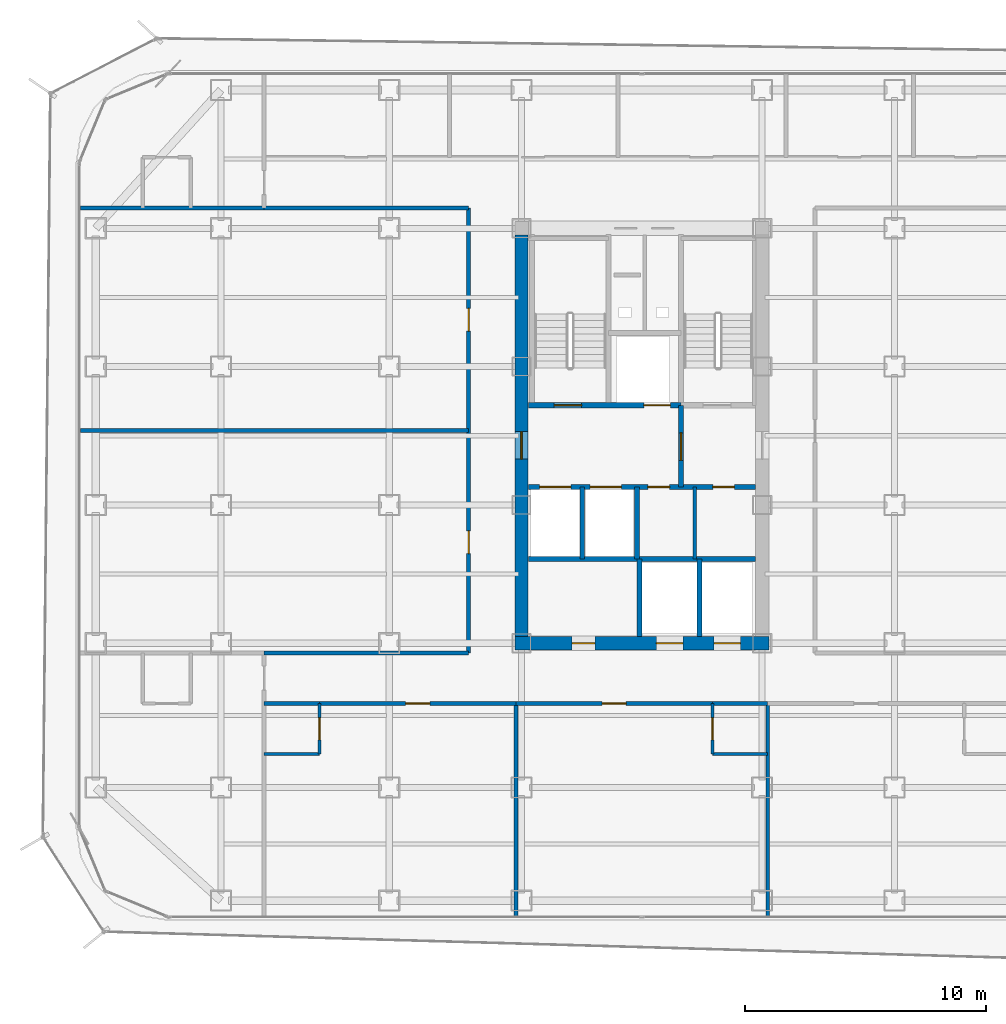
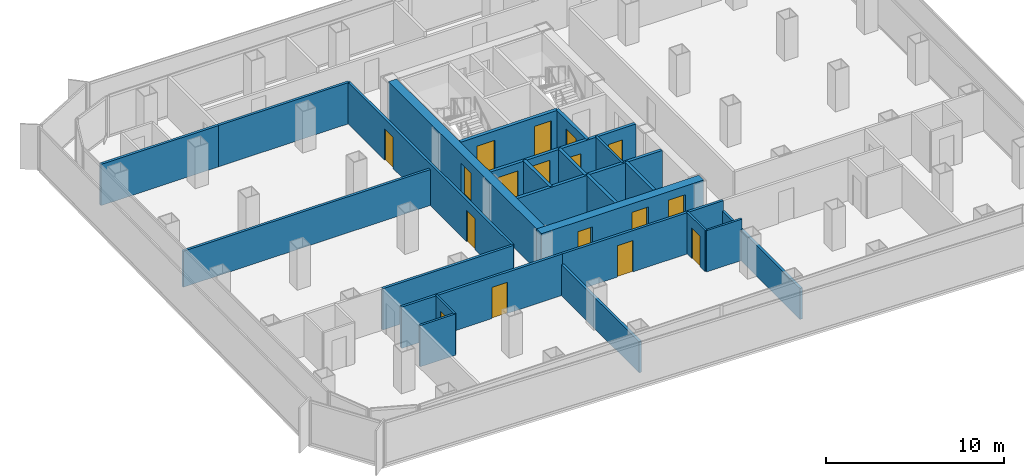
# One storey, part 16 of 21: 26 walls, 17 doors, 17 openings.
"""IFC4 building model written with IfcOpenShell, lengths in metres."""

from ifc_helpers import new_model, si_unit, direction, frame, frame_2d, origin, place, context, subcontext, project, spatial, rectangle, extrude, material, layer, layer_set, type_object, element, fill, save


model = new_model("IFC4")

# Units and contexts
model_context = context("Model", 3, precision=1e-05, world=origin(), true_north=direction((0.0, 1.0)))
body_context = subcontext(model_context, "Body", "Model", "MODEL_VIEW")
ifc_project = project(units=[si_unit("LENGTHUNIT", "METRE"), si_unit("AREAUNIT", "SQUARE_METRE"), si_unit("VOLUMEUNIT", "CUBIC_METRE"), si_unit("PLANEANGLEUNIT", "RADIAN"), si_unit("MASSUNIT", "GRAM", prefix="KILO")], contexts=[model_context])

# Site, building, storey
site_placement = place(None, origin())
site = spatial("IfcSite", under=ifc_project, at=site_placement, CompositionType="ELEMENT")
building_placement = place(site_placement, origin())
building = spatial("IfcBuilding", under=site, at=building_placement, Name="Kolveth Station Tower", CompositionType="ELEMENT")
storey_placement = place(building_placement, frame((0.0, 0.0, 148.39990234375)))
storey = spatial("IfcBuildingStorey", under=building, at=storey_placement, Name="L41", CompositionType="ELEMENT", Elevation=148.39990234375)

# Wall, openings, doors
ifc_material_1 = material(Name="Concrete C60/75", Category="concrete")
ifc_layer_1 = layer(ifc_material_1, 0.550048828125)
ifc_layer_set_1 = layer_set([ifc_layer_1], Name="Concrete C60/75")
wall_type_1 = type_object("IfcWallType", Name="Wall_CW-550", PredefinedType="SHEAR", material=ifc_layer_set_1)
wall_1_placement = place(storey_placement, frame((18.22509765625, 11.5, 0.0), z_axis=(0.0, 0.0, 1.0), x_axis=(1.0, 0.0, 0.0)))
wall_1 = element("IfcWall", 1, at=wall_1_placement, inside=storey, type_object=wall_type_1, Name="L41 Core RC Shear Wall S", PredefinedType="SHEAR", context=body_context, shape_type="SweptSolid", body=[
    extrude(rectangle(XDim=10.5498046875, YDim=0.550048828125, at=frame_2d((5.27490234375, 0.0))), origin(), (0.0, 0.0, 1.0), 2.840087890625),
])
opening_1_placement = place(wall_1_placement, frame((2.375, 0.0, 0.0)))
opening_1 = element("IfcOpeningElement", 2, at=opening_1_placement, cuts=wall_1, Name="Opening ID1", PredefinedType="OPENING", context=body_context, shape_type="SweptSolid", body=[
    extrude(rectangle(XDim=0.949951171875, YDim=2.14990234375, at=frame_2d((0.47509765625, 1.074951171875))), frame((0.0, 0.284912109375, 0.0), z_axis=(0.0, -1.0, 0.0), x_axis=(1.0, 0.0, 0.0)), (0.0, 0.0, 1.0), 0.570068359375),
])
opening_2_placement = place(wall_1_placement, frame((5.875, 0.0, 0.0)))
opening_2 = element("IfcOpeningElement", 3, at=opening_2_placement, cuts=wall_1, Name="Opening LD1", PredefinedType="OPENING", context=body_context, shape_type="SweptSolid", body=[
    extrude(rectangle(XDim=1.10009765625, YDim=2.25, at=frame_2d((0.550048828125, 1.125))), frame((0.0, 0.284912109375, 0.0), z_axis=(0.0, -1.0, 0.0), x_axis=(1.0, 0.0, 0.0)), (0.0, 0.0, 1.0), 0.570068359375),
])
opening_3_placement = place(wall_1_placement, frame((8.27490234375, 0.0, 0.0)))
opening_3 = element("IfcOpeningElement", 4, at=opening_3_placement, cuts=wall_1, Name="Opening LD1", PredefinedType="OPENING", context=body_context, shape_type="SweptSolid", body=[
    extrude(rectangle(XDim=1.10009765625, YDim=2.25, at=frame_2d((0.550048828125, 1.125))), frame((0.0, 0.284912109375, 0.0), z_axis=(0.0, -1.0, 0.0), x_axis=(1.0, 0.0, 0.0)), (0.0, 0.0, 1.0), 0.570068359375),
])
ifc_material_2 = material(Name="Acoustic hardwood leaf and aluminium frame", Category="wood")
door_type_1 = type_object("IfcDoorType", Name="Door_ID1", OperationType="NOTDEFINED", PredefinedType="DOOR", material=ifc_material_2)
door_1_placement = place(opening_1_placement, frame((0.949951171875, 0.0, 0.0), z_axis=(0.0, 0.0, 1.0), x_axis=(-1.0, 0.0, 0.0)))
door_1 = element("IfcDoor", 5, at=door_1_placement, inside=storey, type_object=door_type_1, Name="L41 Hotel Pantry Door", OperationType="SINGLE_SWING_LEFT", OverallHeight=2.14990234375, OverallWidth=0.949951171875, PredefinedType="DOOR", context=body_context, shape_type="SweptSolid", body=[
    extrude(rectangle(XDim=0.949951171875, YDim=2.14990234375, at=frame_2d((0.47509765625, 1.074951171875))), frame((0.0, 0.02490234375, 0.0), z_axis=(0.0, -1.0, 0.0), x_axis=(1.0, 0.0, 0.0)), (0.0, 0.0, 1.0), 0.050048828125),
])
fill(opening_1, door_1)
ifc_material_3 = material(Name="Brushed stainless steel sliding landing doors", Category="steel")
door_type_2 = type_object("IfcDoorType", Name="Door_LD1", OperationType="NOTDEFINED", PredefinedType="DOOR", material=ifc_material_3)
door_2_placement = place(opening_2_placement, frame((1.10009765625, 0.0, 0.0), z_axis=(0.0, 0.0, 1.0), x_axis=(-1.0, 0.0, 0.0)))
door_2 = element("IfcDoor", 6, at=door_2_placement, inside=storey, type_object=door_type_2, Name="L41 Lift PM1 Landing Door", OperationType="DOUBLE_DOOR_SLIDING", OverallHeight=2.25, OverallWidth=1.10009765625, PredefinedType="DOOR", context=body_context, shape_type="SweptSolid", body=[
    extrude(rectangle(XDim=1.10009765625, YDim=2.25, at=frame_2d((0.550048828125, 1.125))), frame((0.0, 0.02490234375, 0.0), z_axis=(0.0, -1.0, 0.0), x_axis=(1.0, 0.0, 0.0)), (0.0, 0.0, 1.0), 0.050048828125),
])
fill(opening_2, door_2)
door_3_placement = place(opening_3_placement, frame((1.10009765625, 0.0, 0.0), z_axis=(0.0, 0.0, 1.0), x_axis=(-1.0, 0.0, 0.0)))
door_3 = element("IfcDoor", 7, at=door_3_placement, inside=storey, type_object=door_type_2, Name="L41 Lift PH1 Landing Door", OperationType="DOUBLE_DOOR_SLIDING", OverallHeight=2.25, OverallWidth=1.10009765625, PredefinedType="DOOR", context=body_context, shape_type="SweptSolid", body=[
    extrude(rectangle(XDim=1.10009765625, YDim=2.25, at=frame_2d((0.550048828125, 1.125))), frame((0.0, 0.02490234375, 0.0), z_axis=(0.0, -1.0, 0.0), x_axis=(1.0, 0.0, 0.0)), (0.0, 0.0, 1.0), 0.050048828125),
])
fill(opening_3, door_3)

# Wall, opening, door
wall_2_placement = place(storey_placement, frame((18.5, 11.77490234375, 0.0), z_axis=(0.0, 0.0, 1.0), x_axis=(0.0, 1.0, 0.0)))
wall_2 = element("IfcWall", 8, at=wall_2_placement, inside=storey, type_object=wall_type_1, Name="L41 Core RC Shear Wall W", PredefinedType="SHEAR", context=body_context, shape_type="SweptSolid", body=[
    extrude(rectangle(XDim=16.7001953125, YDim=0.550048828125, at=frame_2d((8.35009765625, 0.0))), origin(), (0.0, 0.0, 1.0), 2.840087890625),
])
opening_4_placement = place(wall_2_placement, frame((7.375, 0.0, 0.0)))
opening_4 = element("IfcOpeningElement", 9, at=opening_4_placement, cuts=wall_2, Name="Opening FD1", PredefinedType="OPENING", context=body_context, shape_type="SweptSolid", body=[
    extrude(rectangle(XDim=1.14990234375, YDim=2.199951171875, at=frame_2d((0.574951171875, 1.10009765625))), frame((0.0, 0.284912109375, 0.0), z_axis=(0.0, -1.0, 0.0), x_axis=(1.0, 0.0, 0.0)), (0.0, 0.0, 1.0), 0.570068359375),
])
ifc_material_4 = material(Name="Fire-rated Steel S355 leaf and frame", Category="steel")
door_type_3 = type_object("IfcDoorType", Name="Door_FD1", OperationType="NOTDEFINED", PredefinedType="DOOR", material=ifc_material_4)
door_4_placement = place(opening_4_placement, frame((1.14990234375, 0.0, 0.0), z_axis=(0.0, 0.0, 1.0), x_axis=(-1.0, 0.0, 0.0)))
door_4 = element("IfcDoor", 10, at=door_4_placement, inside=storey, type_object=door_type_3, Name="L41 West Corridor to Firefighting Lobby Door", OperationType="SINGLE_SWING_LEFT", OverallHeight=2.199951171875, OverallWidth=1.14990234375, PredefinedType="DOOR", context=body_context, shape_type="SweptSolid", body=[
    extrude(rectangle(XDim=1.14990234375, YDim=2.199951171875, at=frame_2d((0.574951171875, 1.10009765625))), frame((0.0, 0.02490234375, 0.0), z_axis=(0.0, -1.0, 0.0), x_axis=(1.0, 0.0, 0.0)), (0.0, 0.0, 1.0), 0.050048828125),
])
fill(opening_4, door_4)

# Wall
ifc_material_5 = material(Name="Moisture-resistant gypsum partition")
ifc_layer_2 = layer(ifc_material_5, 0.135009765625)
ifc_layer_set_2 = layer_set([ifc_layer_2], Name="Moisture-resistant gypsum partition")
wall_type_2 = type_object("IfcWallType", Name="Wall_IW-135", PredefinedType="PARTITIONING", material=ifc_layer_set_2)
wall_3_placement = place(storey_placement, frame((25.699951171875, 15.0, 0.0), z_axis=(0.0, 0.0, 1.0), x_axis=(0.0, 1.0, 0.0)))
element("IfcWall", 11, at=wall_3_placement, inside=storey, type_object=wall_type_2, Name="L41 Partition Wall WL-L41-CB-V1", PredefinedType="PARTITIONING", context=body_context, shape_type="SweptSolid", body=[
    extrude(rectangle(XDim=3.0, YDim=0.135009765625, at=frame_2d((1.5, 0.0))), origin(), (0.0, 0.0, 1.0), 2.840087890625),
])

# Wall, opening, door
wall_4_placement = place(storey_placement, frame((10.10009765625, 6.89990234375, 0.0), z_axis=(0.0, 0.0, 1.0), x_axis=(0.0, 1.0, 0.0)))
wall_4 = element("IfcWall", 12, at=wall_4_placement, inside=storey, type_object=wall_type_2, Name="L41 Partition Wall WL-L41-HS1-BV", PredefinedType="PARTITIONING", context=body_context, shape_type="SweptSolid", body=[
    extrude(rectangle(XDim=2.10009765625, YDim=0.135009765625, at=frame_2d((1.050048828125, 0.0))), origin(), (0.0, 0.0, 1.0), 2.840087890625),
])
opening_5_placement = place(wall_4_placement, frame((0.580078125, 0.0, 0.0)))
opening_5 = element("IfcOpeningElement", 13, at=opening_5_placement, cuts=wall_4, Name="Opening ID2", PredefinedType="OPENING", context=body_context, shape_type="SweptSolid", body=[
    extrude(rectangle(XDim=0.919921875, YDim=2.10009765625, at=frame_2d((0.4599609375, 1.050048828125))), frame((0.0, 0.077392578125, 0.0), z_axis=(0.0, -1.0, 0.0), x_axis=(1.0, 0.0, 0.0)), (0.0, 0.0, 1.0), 0.155029296875),
])
ifc_material_6 = material(Name="Moisture-resistant hardwood leaf", Category="wood")
door_type_4 = type_object("IfcDoorType", Name="Door_ID2", OperationType="NOTDEFINED", PredefinedType="DOOR", material=ifc_material_6)
door_5_placement = place(opening_5_placement, frame((0.919921875, 0.0, 0.0), z_axis=(0.0, 0.0, 1.0), x_axis=(-1.0, 0.0, 0.0)))
door_5 = element("IfcDoor", 14, at=door_5_placement, inside=storey, type_object=door_type_4, Name="L41 Hotel Corner Suite HS1 En-Suite Door", OperationType="SINGLE_SWING_RIGHT", OverallHeight=2.10009765625, OverallWidth=0.919921875, PredefinedType="DOOR", context=body_context, shape_type="SweptSolid", body=[
    extrude(rectangle(XDim=0.919921875, YDim=2.10009765625, at=frame_2d((0.4599609375, 1.050048828125))), frame((0.0, 0.02490234375, 0.0), z_axis=(0.0, -1.0, 0.0), x_axis=(1.0, 0.0, 0.0)), (0.0, 0.0, 1.0), 0.050048828125),
])
fill(opening_5, door_5)

# Wall
wall_5_placement = place(storey_placement, frame((7.800048828125, 6.89990234375, 0.0), z_axis=(0.0, 0.0, 1.0), x_axis=(1.0, 0.0, 0.0)))
element("IfcWall", 15, at=wall_5_placement, inside=storey, type_object=wall_type_2, Name="L41 Partition Wall WL-L41-HS1-BH", PredefinedType="PARTITIONING", context=body_context, shape_type="SweptSolid", body=[
    extrude(rectangle(XDim=2.300048828125, YDim=0.135009765625, at=frame_2d((1.14990234375, 0.0))), origin(), (0.0, 0.0, 1.0), 2.840087890625),
])

# Wall, opening, door
wall_6_placement = place(storey_placement, frame((26.43310546875, 6.89990234375, 0.0), z_axis=(0.0, 0.0, 1.0), x_axis=(0.0, 1.0, 0.0)))
wall_6 = element("IfcWall", 16, at=wall_6_placement, inside=storey, type_object=wall_type_2, Name="L41 Partition Wall WL-L41-HS2-BV", PredefinedType="PARTITIONING", context=body_context, shape_type="SweptSolid", body=[
    extrude(rectangle(XDim=2.10009765625, YDim=0.135009765625, at=frame_2d((1.050048828125, 0.0))), origin(), (0.0, 0.0, 1.0), 2.840087890625),
])
opening_6_placement = place(wall_6_placement, frame((0.580078125, 0.0, 0.0)))
opening_6 = element("IfcOpeningElement", 17, at=opening_6_placement, cuts=wall_6, Name="Opening ID2", PredefinedType="OPENING", context=body_context, shape_type="SweptSolid", body=[
    extrude(rectangle(XDim=0.919921875, YDim=2.10009765625, at=frame_2d((0.4599609375, 1.050048828125))), frame((0.0, 0.077392578125, 0.0), z_axis=(0.0, -1.0, 0.0), x_axis=(1.0, 0.0, 0.0)), (0.0, 0.0, 1.0), 0.155029296875),
])
door_6_placement = place(opening_6_placement, origin())
door_6 = element("IfcDoor", 18, at=door_6_placement, inside=storey, type_object=door_type_4, Name="L41 Hotel Corner Suite HS2 En-Suite Door", OperationType="SINGLE_SWING_LEFT", OverallHeight=2.10009765625, OverallWidth=0.919921875, PredefinedType="DOOR", context=body_context, shape_type="SweptSolid", body=[
    extrude(rectangle(XDim=0.919921875, YDim=2.10009765625, at=frame_2d((0.4599609375, 1.050048828125))), frame((0.0, 0.02490234375, 0.0), z_axis=(0.0, -1.0, 0.0), x_axis=(1.0, 0.0, 0.0)), (0.0, 0.0, 1.0), 0.050048828125),
])
fill(opening_6, door_6)

# Walls
wall_7_placement = place(storey_placement, frame((26.43310546875, 6.89990234375, 0.0), z_axis=(0.0, 0.0, 1.0), x_axis=(1.0, 0.0, 0.0)))
element("IfcWall", 19, at=wall_7_placement, inside=storey, type_object=wall_type_2, Name="L41 Partition Wall WL-L41-HS2-BH", PredefinedType="PARTITIONING", context=body_context, shape_type="SweptSolid", body=[
    extrude(rectangle(XDim=2.2998046875, YDim=0.135009765625, at=frame_2d((1.14990234375, 0.0))), origin(), (0.0, 0.0, 1.0), 2.840087890625),
])
ifc_material_7 = material(Name="Acoustic double-stud gypsum partition")
ifc_layer_3 = layer(ifc_material_7, 0.1650390625)
ifc_layer_set_3 = layer_set([ifc_layer_3], Name="Acoustic double-stud gypsum partition")
wall_type_3 = type_object("IfcWallType", Name="Wall_IW-165", PredefinedType="PARTITIONING", material=ifc_layer_set_3)
for number, where, z_axis, x_axis, name in (
    (20, (7.800048828125, 11.10009765625, 0.0), (0.0, 0.0, 1.0), (1.0, 0.0, 0.0), "L41 Partition Wall WL-L41-HSWT"),
    (21, (7.800048828125, 29.60009765625, 0.0), (0.0, 0.0, 1.0), (1.0, 0.0, 0.0), "L41 Partition Wall WL-L41-HNWB"),
):
    element("IfcWall", number, at=place(storey_placement, frame(where, z_axis=z_axis, x_axis=x_axis)), inside=storey, type_object=wall_type_3, Name=name, PredefinedType="PARTITIONING", context=body_context, shape_type="SweptSolid", body=[
        extrude(rectangle(XDim=8.5, YDim=0.1650390625, at=frame_2d((4.25, 0.0))), origin(), (0.0, 0.0, 1.0), 2.840087890625),
    ])

# Wall, openings, doors
wall_8_placement = place(storey_placement, frame((16.300048828125, 11.10009765625, 0.0), z_axis=(0.0, 0.0, 1.0), x_axis=(0.0, 1.0, 0.0)))
wall_8 = element("IfcWall", 22, at=wall_8_placement, inside=storey, type_object=wall_type_3, Name="L41 Partition Wall WL-L41-HW", PredefinedType="PARTITIONING", context=body_context, shape_type="SweptSolid", body=[
    extrude(rectangle(XDim=18.5, YDim=0.1650390625, at=frame_2d((9.25, 0.0))), origin(), (0.0, 0.0, 1.0), 2.840087890625),
])
opening_7_placement = place(wall_8_placement, frame((4.125, 0.0, 0.0)))
opening_7 = element("IfcOpeningElement", 23, at=opening_7_placement, cuts=wall_8, Name="Opening ID1", PredefinedType="OPENING", context=body_context, shape_type="SweptSolid", body=[
    extrude(rectangle(XDim=0.949951171875, YDim=2.14990234375, at=frame_2d((0.47509765625, 1.074951171875))), frame((0.0, 0.092529296875, 0.0), z_axis=(0.0, -1.0, 0.0), x_axis=(1.0, 0.0, 0.0)), (0.0, 0.0, 1.0), 0.18505859375),
])
opening_8_placement = place(wall_8_placement, frame((13.375, 0.0, 0.0)))
opening_8 = element("IfcOpeningElement", 24, at=opening_8_placement, cuts=wall_8, Name="Opening ID1", PredefinedType="OPENING", context=body_context, shape_type="SweptSolid", body=[
    extrude(rectangle(XDim=0.949951171875, YDim=2.14990234375, at=frame_2d((0.47509765625, 1.074951171875))), frame((0.0, 0.092529296875, 0.0), z_axis=(0.0, -1.0, 0.0), x_axis=(1.0, 0.0, 0.0)), (0.0, 0.0, 1.0), 0.18505859375),
])
door_7_placement = place(opening_7_placement, frame((0.949951171875, 0.0, 0.0), z_axis=(0.0, 0.0, 1.0), x_axis=(-1.0, 0.0, 0.0)))
door_7 = element("IfcDoor", 25, at=door_7_placement, inside=storey, type_object=door_type_1, Name="L41 Quiet Reading Study Door", OperationType="SINGLE_SWING_LEFT", OverallHeight=2.14990234375, OverallWidth=0.949951171875, PredefinedType="DOOR", context=body_context, shape_type="SweptSolid", body=[
    extrude(rectangle(XDim=0.949951171875, YDim=2.14990234375, at=frame_2d((0.47509765625, 1.074951171875))), frame((0.0, 0.02490234375, 0.0), z_axis=(0.0, -1.0, 0.0), x_axis=(1.0, 0.0, 0.0)), (0.0, 0.0, 1.0), 0.050048828125),
])
fill(opening_7, door_7)
door_8_placement = place(opening_8_placement, frame((0.949951171875, 0.0, 0.0), z_axis=(0.0, 0.0, 1.0), x_axis=(-1.0, 0.0, 0.0)))
door_8 = element("IfcDoor", 26, at=door_8_placement, inside=storey, type_object=door_type_1, Name="L41 Spa Treatment Suite Door", OperationType="SINGLE_SWING_LEFT", OverallHeight=2.14990234375, OverallWidth=0.949951171875, PredefinedType="DOOR", context=body_context, shape_type="SweptSolid", body=[
    extrude(rectangle(XDim=0.949951171875, YDim=2.14990234375, at=frame_2d((0.47509765625, 1.074951171875))), frame((0.0, 0.02490234375, 0.0), z_axis=(0.0, -1.0, 0.0), x_axis=(1.0, 0.0, 0.0)), (0.0, 0.0, 1.0), 0.050048828125),
])
fill(opening_8, door_8)

# Walls
wall_9_placement = place(storey_placement, frame((0.159912109375, 29.60009765625, 0.0), z_axis=(0.0, 0.0, 1.0), x_axis=(1.0, 0.0, 0.0)))
element("IfcWall", 27, at=wall_9_placement, inside=storey, type_object=wall_type_3, Name="L41 Partition Wall WL-L41-WM2", PredefinedType="PARTITIONING", context=body_context, shape_type="SweptSolid", body=[
    extrude(rectangle(XDim=7.64013671875, YDim=0.1650390625, at=frame_2d((3.820068359375, 0.0))), origin(), (0.0, 0.0, 1.0), 2.840087890625),
])
wall_10_placement = place(storey_placement, frame((7.800048828125, 9.0, 0.0), z_axis=(0.0, 0.0, 1.0), x_axis=(1.0, 0.0, 0.0)))
element("IfcWall", 28, at=wall_10_placement, inside=storey, type_object=wall_type_3, Name="L41 Partition Wall WL-L41-HS1-BCOR", PredefinedType="PARTITIONING", context=body_context, shape_type="SweptSolid", body=[
    extrude(rectangle(XDim=2.300048828125, YDim=0.1650390625, at=frame_2d((1.14990234375, 0.0))), origin(), (0.0, 0.0, 1.0), 2.840087890625),
])

# Wall, opening, door
wall_11_placement = place(storey_placement, frame((10.10009765625, 9.0, 0.0), z_axis=(0.0, 0.0, 1.0), x_axis=(1.0, 0.0, 0.0)))
wall_11 = element("IfcWall", 29, at=wall_11_placement, inside=storey, type_object=wall_type_3, Name="L41 Partition Wall WL-L41-HS1-RCOR", PredefinedType="PARTITIONING", context=body_context, shape_type="SweptSolid", body=[
    extrude(rectangle(XDim=8.1669921875, YDim=0.1650390625, at=frame_2d((4.08349609375, 0.0))), origin(), (0.0, 0.0, 1.0), 2.840087890625),
])
opening_9_placement = place(wall_11_placement, frame((3.5830078125, 0.0, 0.0)))
opening_9 = element("IfcOpeningElement", 30, at=opening_9_placement, cuts=wall_11, Name="Opening FD3", PredefinedType="OPENING", context=body_context, shape_type="SweptSolid", body=[
    extrude(rectangle(XDim=1.0, YDim=2.14990234375, at=frame_2d((0.5, 1.074951171875))), frame((0.0, 0.092529296875, 0.0), z_axis=(0.0, -1.0, 0.0), x_axis=(1.0, 0.0, 0.0)), (0.0, 0.0, 1.0), 0.18505859375),
])
ifc_material_8 = material(Name="Fire-rated hardwood leaf and aluminium frame", Category="wood")
door_type_5 = type_object("IfcDoorType", Name="Door_FD3", OperationType="NOTDEFINED", PredefinedType="DOOR", material=ifc_material_8)
door_9_placement = place(opening_9_placement, frame((1.0, 0.0, 0.0), z_axis=(0.0, 0.0, 1.0), x_axis=(-1.0, 0.0, 0.0)))
door_9 = element("IfcDoor", 31, at=door_9_placement, inside=storey, type_object=door_type_5, Name="L41 Hotel Corner Suite HS1 Entrance Door", OperationType="SINGLE_SWING_LEFT", OverallHeight=2.14990234375, OverallWidth=1.0, PredefinedType="DOOR", context=body_context, shape_type="SweptSolid", body=[
    extrude(rectangle(XDim=1.0, YDim=2.14990234375, at=frame_2d((0.5, 1.074951171875))), frame((0.0, 0.02490234375, 0.0), z_axis=(0.0, -1.0, 0.0), x_axis=(1.0, 0.0, 0.0)), (0.0, 0.0, 1.0), 0.050048828125),
])
fill(opening_9, door_9)

# Walls
wall_12_placement = place(storey_placement, frame((18.26708984375, 0.159912109375, 0.0), z_axis=(0.0, 0.0, 1.0), x_axis=(0.0, 1.0, 0.0)))
element("IfcWall", 32, at=wall_12_placement, inside=storey, type_object=wall_type_3, Name="L41 Partition Wall WL-L41-HSK-1", PredefinedType="PARTITIONING", context=body_context, shape_type="SweptSolid", body=[
    extrude(rectangle(XDim=8.840087890625, YDim=0.1650390625, at=frame_2d((4.419921875, 0.0))), origin(), (0.0, 0.0, 1.0), 2.13720703125),
])
wall_13_placement = place(storey_placement, frame((26.43310546875, 9.0, 0.0), z_axis=(0.0, 0.0, 1.0), x_axis=(1.0, 0.0, 0.0)))
element("IfcWall", 33, at=wall_13_placement, inside=storey, type_object=wall_type_3, Name="L41 Partition Wall WL-L41-HS2-BCOR", PredefinedType="PARTITIONING", context=body_context, shape_type="SweptSolid", body=[
    extrude(rectangle(XDim=2.2998046875, YDim=0.1650390625, at=frame_2d((1.14990234375, 0.0))), origin(), (0.0, 0.0, 1.0), 2.840087890625),
])

# Wall, opening, door
wall_14_placement = place(storey_placement, frame((18.26708984375, 9.0, 0.0), z_axis=(0.0, 0.0, 1.0), x_axis=(1.0, 0.0, 0.0)))
wall_14 = element("IfcWall", 34, at=wall_14_placement, inside=storey, type_object=wall_type_3, Name="L41 Partition Wall WL-L41-HS2-RCOR", PredefinedType="PARTITIONING", context=body_context, shape_type="SweptSolid", body=[
    extrude(rectangle(XDim=8.166015625, YDim=0.1650390625, at=frame_2d((4.0830078125, 0.0))), origin(), (0.0, 0.0, 1.0), 2.840087890625),
])
opening_10_placement = place(wall_14_placement, frame((3.5830078125, 0.0, 0.0)))
opening_10 = element("IfcOpeningElement", 35, at=opening_10_placement, cuts=wall_14, Name="Opening FD3", PredefinedType="OPENING", context=body_context, shape_type="SweptSolid", body=[
    extrude(rectangle(XDim=1.0, YDim=2.14990234375, at=frame_2d((0.5, 1.074951171875))), frame((0.0, 0.092529296875, 0.0), z_axis=(0.0, -1.0, 0.0), x_axis=(1.0, 0.0, 0.0)), (0.0, 0.0, 1.0), 0.18505859375),
])
door_10_placement = place(opening_10_placement, frame((1.0, 0.0, 0.0), z_axis=(0.0, 0.0, 1.0), x_axis=(-1.0, 0.0, 0.0)))
door_10 = element("IfcDoor", 36, at=door_10_placement, inside=storey, type_object=door_type_5, Name="L41 Hotel Corner Suite HS2 Entrance Door", OperationType="SINGLE_SWING_LEFT", OverallHeight=2.14990234375, OverallWidth=1.0, PredefinedType="DOOR", context=body_context, shape_type="SweptSolid", body=[
    extrude(rectangle(XDim=1.0, YDim=2.14990234375, at=frame_2d((0.5, 1.074951171875))), frame((0.0, 0.02490234375, 0.0), z_axis=(0.0, -1.0, 0.0), x_axis=(1.0, 0.0, 0.0)), (0.0, 0.0, 1.0), 0.050048828125),
])
fill(opening_10, door_10)

# Walls
wall_15_placement = place(storey_placement, frame((28.73291015625, 0.159912109375, 0.0), z_axis=(0.0, 0.0, 1.0), x_axis=(0.0, 1.0, 0.0)))
element("IfcWall", 37, at=wall_15_placement, inside=storey, type_object=wall_type_3, Name="L41 Partition Wall WL-L41-HSK-2", PredefinedType="PARTITIONING", context=body_context, shape_type="SweptSolid", body=[
    extrude(rectangle(XDim=8.840087890625, YDim=0.1650390625, at=frame_2d((4.419921875, 0.0))), origin(), (0.0, 0.0, 1.0), 2.13720703125),
])
wall_16_placement = place(storey_placement, frame((0.159912109375, 20.35009765625, 0.0), z_axis=(0.0, 0.0, 1.0), x_axis=(1.0, 0.0, 0.0)))
element("IfcWall", 38, at=wall_16_placement, inside=storey, type_object=wall_type_3, Name="L41 Partition Wall WL-L41-HMW-P1", PredefinedType="PARTITIONING", context=body_context, shape_type="SweptSolid", body=[
    extrude(rectangle(XDim=16.14013671875, YDim=0.1650390625, at=frame_2d((8.070068359375, 0.0))), origin(), (0.0, 0.0, 1.0), 2.47314453125),
])

# Wall, opening, door
ifc_material_9 = material(Name="Acoustic fire-rated gypsum blockwork", Category="masonry")
ifc_layer_4 = layer(ifc_material_9, 0.199951171875)
ifc_layer_set_4 = layer_set([ifc_layer_4], Name="Acoustic fire-rated gypsum blockwork")
wall_type_4 = type_object("IfcWallType", Name="Wall_IW-200", PredefinedType="PARTITIONING", material=ifc_layer_set_4)
wall_17_placement = place(storey_placement, frame((25.1298828125, 18.0, 0.0), z_axis=(0.0, 0.0, 1.0), x_axis=(0.0, 1.0, 0.0)))
wall_17 = element("IfcWall", 39, at=wall_17_placement, inside=storey, type_object=wall_type_4, Name="L41 Partition Wall WL-L41-FFL-E", PredefinedType="PARTITIONING", context=body_context, shape_type="SweptSolid", body=[
    extrude(rectangle(XDim=3.389892578125, YDim=0.199951171875, at=frame_2d((1.69482421875, 0.0))), origin(), (0.0, 0.0, 1.0), 2.840087890625),
])
opening_11_placement = place(wall_17_placement, frame((1.10009765625, 0.0, 0.0)))
opening_11 = element("IfcOpeningElement", 40, at=opening_11_placement, cuts=wall_17, Name="Opening FD1", PredefinedType="OPENING", context=body_context, shape_type="SweptSolid", body=[
    extrude(rectangle(XDim=1.14990234375, YDim=2.199951171875, at=frame_2d((0.574951171875, 1.10009765625))), frame((0.0, 0.10986328125, 0.0), z_axis=(0.0, -1.0, 0.0), x_axis=(1.0, 0.0, 0.0)), (0.0, 0.0, 1.0), 0.219970703125),
])
door_11_placement = place(opening_11_placement, origin())
door_11 = element("IfcDoor", 41, at=door_11_placement, inside=storey, type_object=door_type_3, Name="L41 Firefighting to Stair Lobby Door", OperationType="SINGLE_SWING_RIGHT", OverallHeight=2.199951171875, OverallWidth=1.14990234375, PredefinedType="DOOR", context=body_context, shape_type="SweptSolid", body=[
    extrude(rectangle(XDim=1.14990234375, YDim=2.199951171875, at=frame_2d((0.574951171875, 1.10009765625))), frame((0.0, 0.02490234375, 0.0), z_axis=(0.0, -1.0, 0.0), x_axis=(1.0, 0.0, 0.0)), (0.0, 0.0, 1.0), 0.050048828125),
])
fill(opening_11, door_11)

# Wall, openings, doors
wall_18_placement = place(storey_placement, frame((18.784912109375, 18.0, 0.0), z_axis=(0.0, 0.0, 1.0), x_axis=(1.0, 0.0, 0.0)))
wall_18 = element("IfcWall", 42, at=wall_18_placement, inside=storey, type_object=wall_type_4, Name="L41 Partition Wall WL-L41-FFL-S", PredefinedType="PARTITIONING", context=body_context, shape_type="SweptSolid", body=[
    extrude(rectangle(XDim=9.43017578125, YDim=0.199951171875, at=frame_2d((4.715087890625, 0.0))), origin(), (0.0, 0.0, 1.0), 2.840087890625),
])
opening_12_placement = place(wall_18_placement, frame((0.465087890625, 0.0, 0.0)))
opening_12 = element("IfcOpeningElement", 43, at=opening_12_placement, cuts=wall_18, Name="Opening LD2", PredefinedType="OPENING", context=body_context, shape_type="SweptSolid", body=[
    extrude(rectangle(XDim=1.300048828125, YDim=2.300048828125, at=frame_2d((0.64990234375, 1.14990234375))), frame((0.0, 0.10986328125, 0.0), z_axis=(0.0, -1.0, 0.0), x_axis=(1.0, 0.0, 0.0)), (0.0, 0.0, 1.0), 0.219970703125),
])
opening_13_placement = place(wall_18_placement, frame((2.56494140625, 0.0, 0.0)))
opening_13 = element("IfcOpeningElement", 44, at=opening_13_placement, cuts=wall_18, Name="Opening LD2", PredefinedType="OPENING", context=body_context, shape_type="SweptSolid", body=[
    extrude(rectangle(XDim=1.300048828125, YDim=2.300048828125, at=frame_2d((0.64990234375, 1.14990234375))), frame((0.0, 0.10986328125, 0.0), z_axis=(0.0, -1.0, 0.0), x_axis=(1.0, 0.0, 0.0)), (0.0, 0.0, 1.0), 0.219970703125),
])
opening_14_placement = place(wall_18_placement, frame((4.965087890625, 0.0, 0.0)))
opening_14 = element("IfcOpeningElement", 45, at=opening_14_placement, cuts=wall_18, Name="Opening RD1", PredefinedType="OPENING", context=body_context, shape_type="SweptSolid", body=[
    extrude(rectangle(XDim=0.89990234375, YDim=2.050048828125, at=frame_2d((0.449951171875, 1.02490234375))), frame((0.0, 0.10986328125, 0.0), z_axis=(0.0, -1.0, 0.0), x_axis=(1.0, 0.0, 0.0)), (0.0, 0.0, 1.0), 0.219970703125),
])
opening_15_placement = place(wall_18_placement, frame((7.6650390625, 0.0, 0.0)))
opening_15 = element("IfcOpeningElement", 46, at=opening_15_placement, cuts=wall_18, Name="Opening RD1", PredefinedType="OPENING", context=body_context, shape_type="SweptSolid", body=[
    extrude(rectangle(XDim=0.89990234375, YDim=2.050048828125, at=frame_2d((0.449951171875, 1.02490234375))), frame((0.0, 0.10986328125, 0.0), z_axis=(0.0, -1.0, 0.0), x_axis=(1.0, 0.0, 0.0)), (0.0, 0.0, 1.0), 0.219970703125),
])
ifc_material_10 = material(Name="Firefighting stainless steel sliding landing doors", Category="steel")
door_type_6 = type_object("IfcDoorType", Name="Door_LD2", OperationType="NOTDEFINED", PredefinedType="DOOR", material=ifc_material_10)
door_12_placement = place(opening_12_placement, origin())
door_12 = element("IfcDoor", 47, at=door_12_placement, inside=storey, type_object=door_type_6, Name="L41 Firefighting Lift FF1 Landing Door", OperationType="DOUBLE_DOOR_SLIDING", OverallHeight=2.300048828125, OverallWidth=1.300048828125, PredefinedType="DOOR", context=body_context, shape_type="SweptSolid", body=[
    extrude(rectangle(XDim=1.300048828125, YDim=2.300048828125, at=frame_2d((0.64990234375, 1.14990234375))), frame((0.0, 0.02490234375, 0.0), z_axis=(0.0, -1.0, 0.0), x_axis=(1.0, 0.0, 0.0)), (0.0, 0.0, 1.0), 0.050048828125),
])
fill(opening_12, door_12)
door_13_placement = place(opening_13_placement, origin())
door_13 = element("IfcDoor", 48, at=door_13_placement, inside=storey, type_object=door_type_6, Name="L41 Firefighting Lift FF2 Landing Door", OperationType="DOUBLE_DOOR_SLIDING", OverallHeight=2.300048828125, OverallWidth=1.300048828125, PredefinedType="DOOR", context=body_context, shape_type="SweptSolid", body=[
    extrude(rectangle(XDim=1.300048828125, YDim=2.300048828125, at=frame_2d((0.64990234375, 1.14990234375))), frame((0.0, 0.02490234375, 0.0), z_axis=(0.0, -1.0, 0.0), x_axis=(1.0, 0.0, 0.0)), (0.0, 0.0, 1.0), 0.050048828125),
])
fill(opening_13, door_13)
ifc_material_11 = material(Name="Fire-rated Steel S355 riser access leaf", Category="steel")
door_type_7 = type_object("IfcDoorType", Name="Door_RD1", OperationType="NOTDEFINED", PredefinedType="DOOR", material=ifc_material_11)
door_14_placement = place(opening_14_placement, frame((0.89990234375, 0.0, 0.0), z_axis=(0.0, 0.0, 1.0), x_axis=(-1.0, 0.0, 0.0)))
door_14 = element("IfcDoor", 49, at=door_14_placement, inside=storey, type_object=door_type_7, Name="L41 Core Accessible WC Door", OperationType="SINGLE_SWING_LEFT", OverallHeight=2.050048828125, OverallWidth=0.89990234375, PredefinedType="DOOR", context=body_context, shape_type="SweptSolid", body=[
    extrude(rectangle(XDim=0.89990234375, YDim=2.050048828125, at=frame_2d((0.449951171875, 1.02490234375))), frame((0.0, 0.02490234375, 0.0), z_axis=(0.0, -1.0, 0.0), x_axis=(1.0, 0.0, 0.0)), (0.0, 0.0, 1.0), 0.050048828125),
])
fill(opening_14, door_14)
door_15_placement = place(opening_15_placement, frame((0.89990234375, 0.0, 0.0), z_axis=(0.0, 0.0, 1.0), x_axis=(-1.0, 0.0, 0.0)))
door_15 = element("IfcDoor", 50, at=door_15_placement, inside=storey, type_object=door_type_7, Name="L41 Housekeeping and Linen Room Door", OperationType="SINGLE_SWING_RIGHT", OverallHeight=2.050048828125, OverallWidth=0.89990234375, PredefinedType="DOOR", context=body_context, shape_type="SweptSolid", body=[
    extrude(rectangle(XDim=0.89990234375, YDim=2.050048828125, at=frame_2d((0.449951171875, 1.02490234375))), frame((0.0, 0.02490234375, 0.0), z_axis=(0.0, -1.0, 0.0), x_axis=(1.0, 0.0, 0.0)), (0.0, 0.0, 1.0), 0.050048828125),
])
fill(opening_15, door_15)

# Walls
for number, where, z_axis, x_axis, name in (
    (51, (21.02001953125, 15.0, 0.0), (0.0, 0.0, 1.0), (0.0, 1.0, 0.0), "L41 Partition Wall WL-L41-FF12"),
    (52, (23.300048828125, 15.0, 0.0), (0.0, 0.0, 1.0), (0.0, 1.0, 0.0), "L41 Partition Wall WL-L41-FF2E"),
):
    element("IfcWall", number, at=place(storey_placement, frame(where, z_axis=z_axis, x_axis=x_axis)), inside=storey, type_object=wall_type_4, Name=name, PredefinedType="PARTITIONING", context=body_context, shape_type="SweptSolid", body=[
        extrude(rectangle(XDim=3.0, YDim=0.199951171875, at=frame_2d((1.5, 0.0))), origin(), (0.0, 0.0, 1.0), 2.840087890625),
    ])
wall_19_placement = place(storey_placement, frame((18.784912109375, 15.0, 0.0), z_axis=(0.0, 0.0, 1.0), x_axis=(1.0, 0.0, 0.0)))
element("IfcWall", 53, at=wall_19_placement, inside=storey, type_object=wall_type_4, Name="L41 Partition Wall WL-L41-BOH-S", PredefinedType="PARTITIONING", context=body_context, shape_type="SweptSolid", body=[
    extrude(rectangle(XDim=9.43017578125, YDim=0.199951171875, at=frame_2d((4.715087890625, 0.0))), origin(), (0.0, 0.0, 1.0), 2.840087890625),
])
for number, where, z_axis, x_axis, name in (
    (54, (23.39990234375, 11.784912109375, 0.0), (0.0, 0.0, 1.0), (0.0, 1.0, 0.0), "L41 Partition Wall WL-L41-PL2E"),
    (55, (25.89990234375, 11.784912109375, 0.0), (0.0, 0.0, 1.0), (0.0, 1.0, 0.0), "L41 Partition Wall WL-L41-PMPH"),
):
    element("IfcWall", number, at=place(storey_placement, frame(where, z_axis=z_axis, x_axis=x_axis)), inside=storey, type_object=wall_type_4, Name=name, PredefinedType="PARTITIONING", context=body_context, shape_type="SweptSolid", body=[
        extrude(rectangle(XDim=3.215087890625, YDim=0.199951171875, at=frame_2d((1.607421875, 0.0))), origin(), (0.0, 0.0, 1.0), 2.840087890625),
    ])

# Wall, openings, doors
ifc_material_12 = material(Name="Concrete C40/50", Category="concrete")
ifc_layer_5 = layer(ifc_material_12, 0.219970703125)
ifc_layer_set_5 = layer_set([ifc_layer_5], Name="Concrete C40/50")
wall_type_5 = type_object("IfcWallType", Name="Wall_IW-220", PredefinedType="SOLIDWALL", material=ifc_layer_set_5)
wall_20_placement = place(storey_placement, frame((18.784912109375, 21.389892578125, 0.0), z_axis=(0.0, 0.0, 1.0), x_axis=(1.0, 0.0, 0.0)))
wall_20 = element("IfcWall", 56, at=wall_20_placement, inside=storey, type_object=wall_type_5, Name="L41 Stair Shaft Wall WL-L41-ST1-S", PredefinedType="SOLIDWALL", context=body_context, shape_type="SweptSolid", body=[
    extrude(rectangle(XDim=6.344970703125, YDim=0.219970703125, at=frame_2d((3.17236328125, 0.0))), origin(), (0.0, 0.0, 1.0), 2.840087890625),
])
opening_16_placement = place(wall_20_placement, frame((1.06494140625, 0.0, 0.0)))
opening_16 = element("IfcOpeningElement", 57, at=opening_16_placement, cuts=wall_20, Name="Opening FD1", PredefinedType="OPENING", context=body_context, shape_type="SweptSolid", body=[
    extrude(rectangle(XDim=1.14990234375, YDim=2.199951171875, at=frame_2d((0.574951171875, 1.10009765625))), frame((0.0, 0.119873046875, 0.0), z_axis=(0.0, -1.0, 0.0), x_axis=(1.0, 0.0, 0.0)), (0.0, 0.0, 1.0), 0.239990234375),
])
opening_17_placement = place(wall_20_placement, frame((4.794921875, 0.0, 0.0)))
opening_17 = element("IfcOpeningElement", 58, at=opening_17_placement, cuts=wall_20, Name="Opening LD1", PredefinedType="OPENING", context=body_context, shape_type="SweptSolid", body=[
    extrude(rectangle(XDim=1.10009765625, YDim=2.25, at=frame_2d((0.550048828125, 1.125))), frame((0.0, 0.119873046875, 0.0), z_axis=(0.0, -1.0, 0.0), x_axis=(1.0, 0.0, 0.0)), (0.0, 0.0, 1.0), 0.239990234375),
])
door_16_placement = place(opening_16_placement, frame((1.14990234375, 0.0, 0.0), z_axis=(0.0, 0.0, 1.0), x_axis=(-1.0, 0.0, 0.0)))
door_16 = element("IfcDoor", 59, at=door_16_placement, inside=storey, type_object=door_type_3, Name="L41 Stair ST1 Fire Door", OperationType="SINGLE_SWING_LEFT", OverallHeight=2.199951171875, OverallWidth=1.14990234375, PredefinedType="DOOR", context=body_context, shape_type="SweptSolid", body=[
    extrude(rectangle(XDim=1.14990234375, YDim=2.199951171875, at=frame_2d((0.574951171875, 1.10009765625))), frame((0.0, 0.02490234375, 0.0), z_axis=(0.0, -1.0, 0.0), x_axis=(1.0, 0.0, 0.0)), (0.0, 0.0, 1.0), 0.050048828125),
])
fill(opening_16, door_16)
door_17_placement = place(opening_17_placement, frame((1.10009765625, 0.0, 0.0), z_axis=(0.0, 0.0, 1.0), x_axis=(-1.0, 0.0, 0.0)))
door_17 = element("IfcDoor", 60, at=door_17_placement, inside=storey, type_object=door_type_2, Name="L41 Service Lift SV1 Landing Door", OperationType="DOUBLE_DOOR_SLIDING", OverallHeight=2.25, OverallWidth=1.10009765625, PredefinedType="DOOR", context=body_context, shape_type="SweptSolid", body=[
    extrude(rectangle(XDim=1.10009765625, YDim=2.25, at=frame_2d((0.550048828125, 1.125))), frame((0.0, 0.02490234375, 0.0), z_axis=(0.0, -1.0, 0.0), x_axis=(1.0, 0.0, 0.0)), (0.0, 0.0, 1.0), 0.050048828125),
])
fill(opening_17, door_17)

save(model, "model.ifc")
